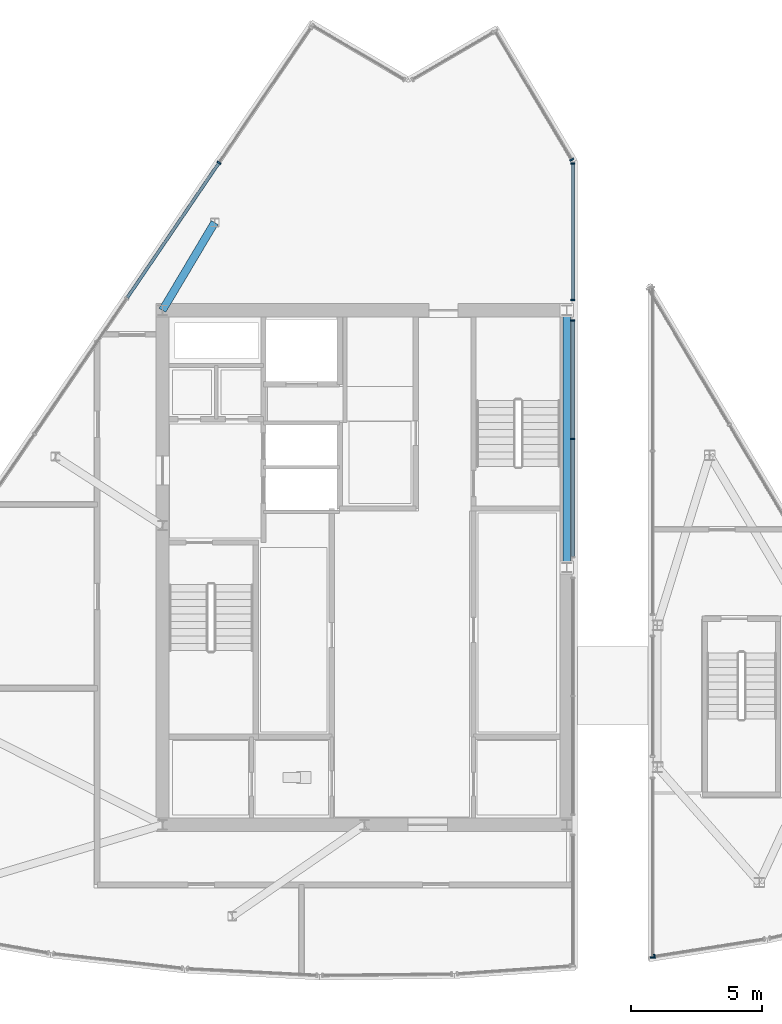
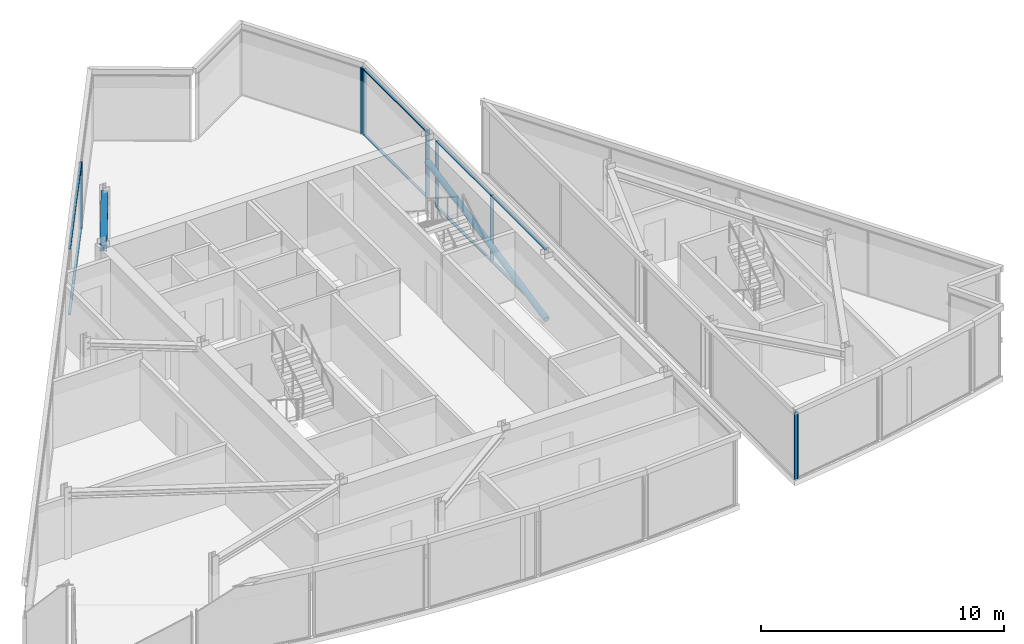
# One storey, part 5 of 15: 17 members, 1 beam, 6 elements without a shape of their own.
"""IFC4 building model written with IfcOpenShell, lengths in metres."""

from ifc_helpers import new_model, si_unit, direction, frame, origin, origin_2d, place, context, subcontext, project, spatial, rectangle, hollow_circle, i_section, extrude, material, material_profile, profile_set, type_object, element, aggregate, save


model = new_model("IFC4")

# Units and contexts
model_context = context("Model", 3, precision=1e-05, world=origin(), true_north=direction((0.0, 1.0)))
body_context = subcontext(model_context, "Body", "Model", "MODEL_VIEW")
ifc_project = project(units=[si_unit("LENGTHUNIT", "METRE"), si_unit("AREAUNIT", "SQUARE_METRE"), si_unit("VOLUMEUNIT", "CUBIC_METRE"), si_unit("PLANEANGLEUNIT", "RADIAN"), si_unit("MASSUNIT", "GRAM", prefix="KILO")], contexts=[model_context])

# Site, building, storey
site_placement = place(None, origin())
site = spatial("IfcSite", under=ifc_project, at=site_placement, CompositionType="ELEMENT")
building_placement = place(site_placement, origin())
building = spatial("IfcBuilding", under=site, at=building_placement, Name="Savorim Split Tower", CompositionType="ELEMENT")
storey_placement = place(building_placement, frame((0.0, 0.0, 301.199951171875)))
storey = spatial("IfcBuildingStorey", under=building, at=storey_placement, Name="Crown L80 Plant", CompositionType="ELEMENT", Elevation=301.199951171875)

# Beam
ifc_material_1 = material(Name="Steel S355", Category="steel")
ifc_material_profile_1 = material_profile(ifc_material_1, i_section(OverallWidth=0.300048828125, OverallDepth=0.320068359375, WebThickness=0.011474609375, FlangeThickness=0.0205078125, FilletRadius=0.027099609375, at=origin_2d()), Name="HEB 320")
ifc_profile_set_1 = profile_set([ifc_material_profile_1], Name="Steel S355")
beam_type = type_object("IfcBeamType", Name="BM-PRI-HEB320", PredefinedType="BEAM", material=ifc_profile_set_1)
beam_placement = place(storey_placement, frame((-5.710205078125, 13.542236328125, 3.179931640625), z_axis=(-0.511539031423, -0.85926004174, 0.0), x_axis=(0.85926004174, -0.511539031423, 0.0)))
element("IfcBeam", 1, at=beam_placement, inside=storey, type_object=beam_type, Name="Crown L80 Plant West Crown Beam WBG-5", PredefinedType="BEAM", context=body_context, shape_type="SweptSolid", body=[
    extrude(i_section(OverallWidth=0.300048828125, OverallDepth=0.320068359375, WebThickness=0.011474609375, FlangeThickness=0.0205078125, FilletRadius=0.027099609375, at=origin_2d()), origin(), (0.0, 0.0, 1.0), 3.8896484375),
])

# Curtain wall, members
ifc_material_2 = material(Name="Dark Ceramic-Fritted Insulated Glass", Category="glass")
curtain_wall_type = type_object("IfcCurtainWallType", Name="CW-CROWN-CREST", PredefinedType="NOTDEFINED", material=ifc_material_2)
curtain_wall_1_placement = place(storey_placement, origin())
curtain_wall_1 = element("IfcCurtainWall", 2, at=curtain_wall_1_placement, inside=storey, type_object=curtain_wall_type, Name="Crown L80 Plant Curtain Wall CW-Crown-L80-Plant-W1AS3", PredefinedType="NOTDEFINED")
ifc_material_3 = material(Name="Charcoal Anodised Aluminium", Category="aluminium")
ifc_material_profile_2 = material_profile(ifc_material_3, rectangle(XDim=0.159912109375, YDim=0.06005859375, at=origin_2d()), Name="ALU-M 160x60")
ifc_profile_set_2 = profile_set([ifc_material_profile_2], Name="Charcoal Anodised Aluminium")
member_type_1 = type_object("IfcMemberType", Name="CWM-160x60", PredefinedType="MULLION", material=ifc_profile_set_2)
member_1_placement = place(storey_placement, frame((7.929931640625, 5.300048828125, 0.0), z_axis=(0.0, 0.0, 1.0), x_axis=(-1.0, 0.0, 0.0)))
member_1 = element("IfcMember", 3, at=member_1_placement, type_object=member_type_1, Name="CW-07 mullion 2", PredefinedType="MULLION", context=body_context, shape_type="SweptSolid", body=[
    extrude(rectangle(XDim=0.159912109375, YDim=0.06005859375, at=origin_2d()), origin(), (0.0, 0.0, 1.0), 3.340087890625),
])
member_2_placement = place(storey_placement, frame((7.929931640625, 9.803955078125, 0.0), z_axis=(0.0, 0.0, 1.0), x_axis=(-1.0, 0.0, 0.0)))
member_2 = element("IfcMember", 4, at=member_2_placement, type_object=member_type_1, Name="CW-07 mullion 3", PredefinedType="MULLION", context=body_context, shape_type="SweptSolid", body=[
    extrude(rectangle(XDim=0.159912109375, YDim=0.06005859375, at=origin_2d()), origin(), (0.0, 0.0, 1.0), 3.340087890625),
])

curtain_wall_2_placement = place(storey_placement, origin())
curtain_wall_2 = element("IfcCurtainWall", 5, at=curtain_wall_2_placement, inside=storey, type_object=curtain_wall_type, Name="Crown L80 Plant Curtain Wall CW-Crown-L80-Plant-W1AS4", PredefinedType="NOTDEFINED")
member_3_placement = place(storey_placement, frame((7.929931640625, 10.595947265625, 0.0), z_axis=(0.0, 0.0, 1.0), x_axis=(-1.0, 0.0, 0.0)))
member_3 = element("IfcMember", 6, at=member_3_placement, type_object=member_type_1, Name="CW-07 mullion 1", PredefinedType="MULLION", context=body_context, shape_type="SweptSolid", body=[
    extrude(rectangle(XDim=0.159912109375, YDim=0.06005859375, at=origin_2d()), origin(), (0.0, 0.0, 1.0), 3.340087890625),
])
member_4_placement = place(storey_placement, frame((7.929931640625, 15.79150390625, 0.0), z_axis=(0.0, 0.0, 1.0), x_axis=(-1.0, 0.0, 0.0)))
member_4 = element("IfcMember", 7, at=member_4_placement, type_object=member_type_1, Name="CW-07 mullion 2", PredefinedType="MULLION", context=body_context, shape_type="SweptSolid", body=[
    extrude(rectangle(XDim=0.159912109375, YDim=0.06005859375, at=origin_2d()), origin(), (0.0, 0.0, 1.0), 3.340087890625),
])

# Curtain wall, member
curtain_wall_3_placement = place(storey_placement, origin())
curtain_wall_3 = element("IfcCurtainWall", 8, at=curtain_wall_3_placement, inside=storey, type_object=curtain_wall_type, Name="Crown L80 Plant Curtain Wall CW-Crown-L80-Plant-W2A", PredefinedType="NOTDEFINED")
member_5_placement = place(storey_placement, frame((7.890625, 15.9345703125, 0.0), z_axis=(0.0, 0.0, 1.0), x_axis=(-0.859518577011, -0.511104505725, 0.0)))
member_5 = element("IfcMember", 9, at=member_5_placement, type_object=member_type_1, Name="CW-07 mullion 1", PredefinedType="MULLION", context=body_context, shape_type="SweptSolid", body=[
    extrude(rectangle(XDim=0.159912109375, YDim=0.06005859375, at=origin_2d()), origin(), (0.0, 0.0, 1.0), 3.340087890625),
])
aggregate(curtain_wall_3, [member_5])

curtain_wall_4_placement = place(storey_placement, origin())
curtain_wall_4 = element("IfcCurtainWall", 10, at=curtain_wall_4_placement, inside=storey, type_object=curtain_wall_type, Name="Crown L80 Plant Curtain Wall CW-Crown-L80-Plant-W5A", PredefinedType="NOTDEFINED")
member_6_placement = place(storey_placement, frame((-5.543701171875, 15.81884765625, 0.0), z_axis=(0.0, 0.0, 1.0), x_axis=(0.826821213744, -0.562464826014, 0.0)))
member_6 = element("IfcMember", 11, at=member_6_placement, type_object=member_type_1, Name="CW-07 mullion 2", PredefinedType="MULLION", context=body_context, shape_type="SweptSolid", body=[
    extrude(rectangle(XDim=0.159912109375, YDim=0.06005859375, at=origin_2d()), origin(), (0.0, 0.0, 1.0), 3.340087890625),
])

curtain_wall_5_placement = place(storey_placement, origin())
curtain_wall_5 = element("IfcCurtainWall", 12, at=curtain_wall_5_placement, inside=storey, type_object=curtain_wall_type, Name="Crown L80 Plant Curtain Wall CW-Crown-L80-Plant-E1AS3", PredefinedType="NOTDEFINED")
member_7_placement = place(storey_placement, frame((10.969970703125, -14.451171875, 0.0), z_axis=(0.0, 0.0, 1.0), x_axis=(1.0, 0.0, 0.0)))
member_7 = element("IfcMember", 13, at=member_7_placement, type_object=member_type_1, Name="CW-07 mullion 2", PredefinedType="MULLION", context=body_context, shape_type="SweptSolid", body=[
    extrude(rectangle(XDim=0.159912109375, YDim=0.06005859375, at=origin_2d()), origin(), (0.0, 0.0, 1.0), 3.340087890625),
])
aggregate(curtain_wall_5, [member_7])

curtain_wall_6_placement = place(storey_placement, origin())
curtain_wall_6 = element("IfcCurtainWall", 14, at=curtain_wall_6_placement, inside=storey, type_object=curtain_wall_type, Name="Crown L80 Plant Curtain Wall CW-Crown-L80-Plant-E2A", PredefinedType="NOTDEFINED")
member_8_placement = place(storey_placement, frame((11.043701171875, -14.4091796875, 0.0), z_axis=(0.0, 0.0, 1.0), x_axis=(-0.155472022798, 0.987840295861, 0.0)))
member_8 = element("IfcMember", 15, at=member_8_placement, type_object=member_type_1, Name="CW-07 mullion 1", PredefinedType="MULLION", context=body_context, shape_type="SweptSolid", body=[
    extrude(rectangle(XDim=0.159912109375, YDim=0.06005859375, at=origin_2d()), origin(), (0.0, 0.0, 1.0), 3.340087890625),
])
aggregate(curtain_wall_6, [member_8])

# Member
ifc_material_profile_3 = material_profile(ifc_material_3, rectangle(XDim=0.1201171875, YDim=0.050048828125, at=origin_2d()), Name="ALU-T 120x50")
ifc_profile_set_3 = profile_set([ifc_material_profile_3], Name="Charcoal Anodised Aluminium")
member_type_2 = type_object("IfcMemberType", Name="CWT-120x50", PredefinedType="USERDEFINED", material=ifc_profile_set_3)
member_9_placement = place(storey_placement, frame((7.929931640625, 0.825927734375, 0.025146484375), z_axis=(0.0, 1.0, 0.0), x_axis=(-1.0, 0.0, 0.0)))
member_9 = element("IfcMember", 16, at=member_9_placement, type_object=member_type_2, Name="CW-07 transom 1.1", ObjectType="TRANSOM", PredefinedType="USERDEFINED", context=body_context, shape_type="SweptSolid", body=[
    extrude(rectangle(XDim=0.1201171875, YDim=0.050048828125, at=origin_2d()), origin(), (0.0, 0.0, 1.0), 4.444091796875),
])

member_10_placement = place(storey_placement, frame((7.929931640625, 0.825927734375, 3.31494140625), z_axis=(0.0, 1.0, 0.0), x_axis=(-1.0, 0.0, 0.0)))
member_10 = element("IfcMember", 17, at=member_10_placement, type_object=member_type_2, Name="CW-07 transom 1.2", ObjectType="TRANSOM", PredefinedType="USERDEFINED", context=body_context, shape_type="SweptSolid", body=[
    extrude(rectangle(XDim=0.1201171875, YDim=0.050048828125, at=origin_2d()), origin(), (0.0, 0.0, 1.0), 4.444091796875),
])

member_11_placement = place(storey_placement, frame((7.929931640625, 5.330078125, 0.025146484375), z_axis=(0.0, 1.0, 0.0), x_axis=(-1.0, 0.0, 0.0)))
member_11 = element("IfcMember", 18, at=member_11_placement, type_object=member_type_2, Name="CW-07 transom 2.1", ObjectType="TRANSOM", PredefinedType="USERDEFINED", context=body_context, shape_type="SweptSolid", body=[
    extrude(rectangle(XDim=0.1201171875, YDim=0.050048828125, at=origin_2d()), origin(), (0.0, 0.0, 1.0), 4.44384765625),
])

member_12_placement = place(storey_placement, frame((7.929931640625, 5.330078125, 3.31494140625), z_axis=(0.0, 1.0, 0.0), x_axis=(-1.0, 0.0, 0.0)))
member_12 = element("IfcMember", 19, at=member_12_placement, type_object=member_type_2, Name="CW-07 transom 2.2", ObjectType="TRANSOM", PredefinedType="USERDEFINED", context=body_context, shape_type="SweptSolid", body=[
    extrude(rectangle(XDim=0.1201171875, YDim=0.050048828125, at=origin_2d()), origin(), (0.0, 0.0, 1.0), 4.44384765625),
])

aggregate(curtain_wall_1, [member_1, member_2, member_9, member_10, member_11, member_12])

member_13_placement = place(storey_placement, frame((7.929931640625, 10.6259765625, 0.025146484375), z_axis=(0.0, 1.0, 0.0), x_axis=(-1.0, 0.0, 0.0)))
member_13 = element("IfcMember", 20, at=member_13_placement, type_object=member_type_2, Name="CW-07 transom 1.1", ObjectType="TRANSOM", PredefinedType="USERDEFINED", context=body_context, shape_type="SweptSolid", body=[
    extrude(rectangle(XDim=0.1201171875, YDim=0.050048828125, at=origin_2d()), origin(), (0.0, 0.0, 1.0), 5.135498046875),
])

member_14_placement = place(storey_placement, frame((7.929931640625, 10.6259765625, 3.31494140625), z_axis=(0.0, 1.0, 0.0), x_axis=(-1.0, 0.0, 0.0)))
member_14 = element("IfcMember", 21, at=member_14_placement, type_object=member_type_2, Name="CW-07 transom 1.2", ObjectType="TRANSOM", PredefinedType="USERDEFINED", context=body_context, shape_type="SweptSolid", body=[
    extrude(rectangle(XDim=0.1201171875, YDim=0.050048828125, at=origin_2d()), origin(), (0.0, 0.0, 1.0), 5.135498046875),
])

aggregate(curtain_wall_2, [member_3, member_4, member_13, member_14])

member_15_placement = place(storey_placement, frame((-5.560546875, 15.7939453125, 0.025146484375), z_axis=(-0.562460005543, -0.826824492963, 0.0), x_axis=(0.826824492963, -0.562460005543, 0.0)))
member_15 = element("IfcMember", 22, at=member_15_placement, type_object=member_type_2, Name="CW-07 transom 2.1", ObjectType="TRANSOM", PredefinedType="USERDEFINED", context=body_context, shape_type="SweptSolid", body=[
    extrude(rectangle(XDim=0.1201171875, YDim=0.050048828125, at=origin_2d()), origin(), (0.0, 0.0, 1.0), 6.1884765625),
])

member_16_placement = place(storey_placement, frame((-5.560546875, 15.7939453125, 3.31494140625), z_axis=(-0.562460005543, -0.826824492963, 0.0), x_axis=(0.826824492963, -0.562460005543, 0.0)))
member_16 = element("IfcMember", 23, at=member_16_placement, type_object=member_type_2, Name="CW-07 transom 2.2", ObjectType="TRANSOM", PredefinedType="USERDEFINED", context=body_context, shape_type="SweptSolid", body=[
    extrude(rectangle(XDim=0.1201171875, YDim=0.050048828125, at=origin_2d()), origin(), (0.0, 0.0, 1.0), 6.1884765625),
])

aggregate(curtain_wall_4, [member_6, member_15, member_16])

ifc_material_profile_4 = material_profile(ifc_material_1, hollow_circle(Radius=0.136474609375, WallThickness=0.01611328125, at=origin_2d()), Name="CHS 273x16")
ifc_profile_set_4 = profile_set([ifc_material_profile_4], Name="Steel S355")
member_type_3 = type_object("IfcMemberType", Name="MBR-CRN-CHS273", PredefinedType="BRACE", material=ifc_profile_set_4)
member_17_placement = place(storey_placement, frame((7.699951171875, 0.39990234375, 0.150146484375), z_axis=(0.0, 0.979804253974, 0.199959055543), x_axis=(-1.0, 0.0, 0.0)))
element("IfcMember", 24, at=member_17_placement, inside=storey, type_object=member_type_3, Name="Crown L80 Plant Split Crown Spine Brace 1", PredefinedType="BRACE", context=body_context, shape_type="SweptSolid", body=[
    extrude(hollow_circle(Radius=0.136474609375, WallThickness=0.01611328125, at=origin_2d()), origin(), (0.0, 0.0, 1.0), 10.001953125),
])

save(model, "model.ifc")
